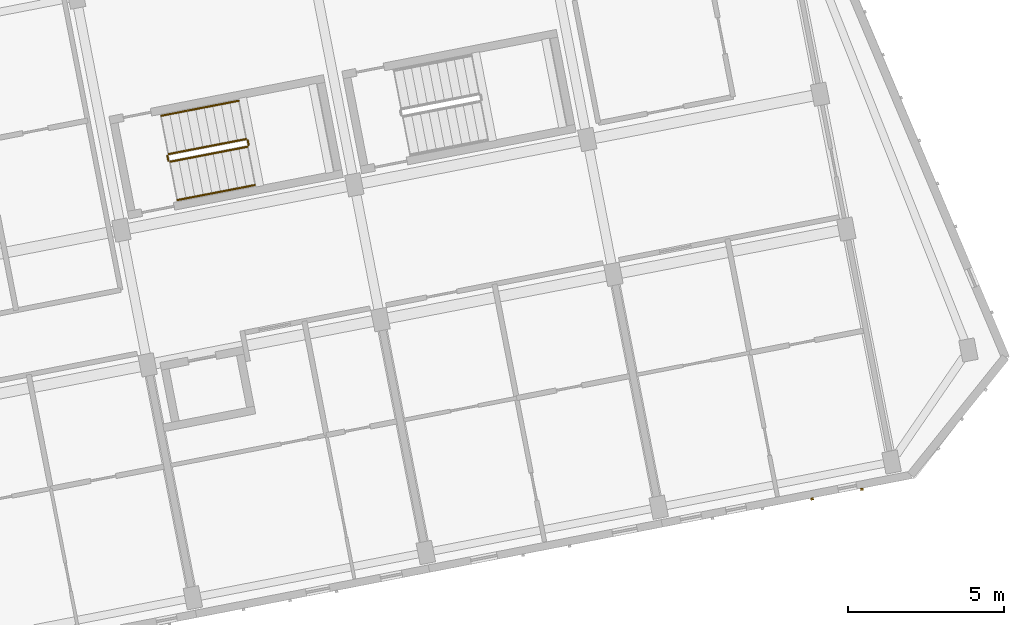
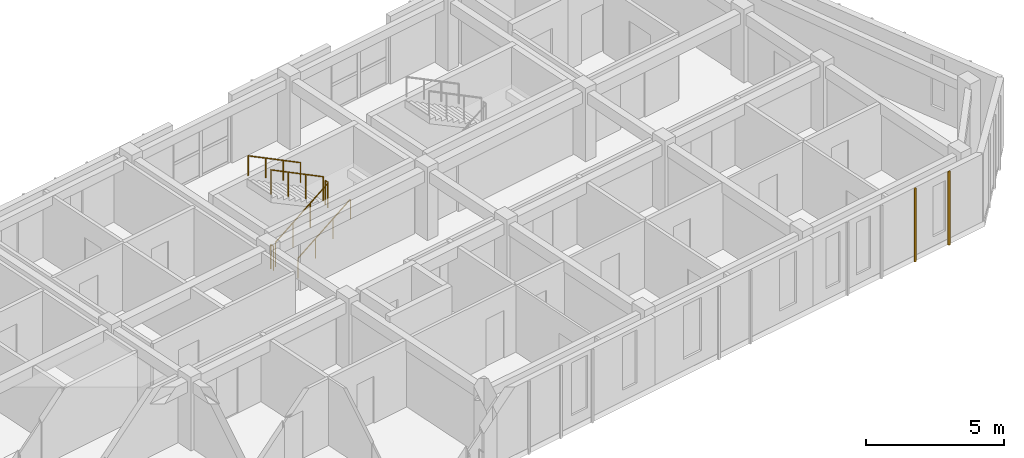
# One storey, part 60 of 66: 6 railings, 2 coverings.
"""IFC4 building model written with IfcOpenShell, lengths in metres."""

from ifc_helpers import new_model, si_unit, direction, frame, origin, origin_2d, place, context, subcontext, project, spatial, rectangle, circle, extrude, material, layer, layer_set, type_object, element, save


model = new_model("IFC4")

# Units and contexts
model_context = context("Model", 3, precision=1e-05, world=origin(), true_north=direction((0.0, 1.0)))
body_context = subcontext(model_context, "Body", "Model", "MODEL_VIEW")
ifc_project = project(units=[si_unit("LENGTHUNIT", "METRE"), si_unit("AREAUNIT", "SQUARE_METRE"), si_unit("VOLUMEUNIT", "CUBIC_METRE"), si_unit("PLANEANGLEUNIT", "RADIAN"), si_unit("MASSUNIT", "GRAM", prefix="KILO")], contexts=[model_context])

# Site, building, storey
site_placement = place(None, origin())
site = spatial("IfcSite", under=ifc_project, at=site_placement, CompositionType="ELEMENT")
building_placement = place(site_placement, origin())
building = spatial("IfcBuilding", under=site, at=building_placement, Name="Kestramere Prow Commons", CompositionType="ELEMENT")
storey_placement = place(building_placement, frame((0.0, 0.0, 14.89990234375)))
storey = spatial("IfcBuildingStorey", under=building, at=storey_placement, Name="L04", CompositionType="ELEMENT", Elevation=14.89990234375)

# Coverings
ifc_material_1 = material(Name="Weathered Zinc-Titanium Standing-Seam Cladding")
ifc_layer = layer(ifc_material_1, 0.074951171875)
ifc_layer_set = layer_set([ifc_layer], Name="Weathered Zinc-Titanium Standing-Seam Cladding")
covering_type = type_object("IfcCoveringType", Name="COV-CLAD-SEAM", PredefinedType="CLADDING", material=ifc_layer_set)
for number, where, z_axis, x_axis, name in (
    (1, (162.211669921875, 41.825927734375, -0.25), (0.0, 0.0, 1.0), (-0.981627183448, -0.190808995377, 0.0), "EW-D-L04-S-5 Standing-Seam Rib 1"),
    (2, (160.616455078125, 41.515869140625, -0.25), (0.0, 0.0, 1.0), (-0.981627183448, -0.190808995377, 0.0), "EW-D-L04-S-5 Standing-Seam Rib 2"),
):
    element("IfcCovering", number, at=place(storey_placement, frame(where, z_axis=z_axis, x_axis=x_axis)), inside=storey, type_object=covering_type, Name=name, PredefinedType="CLADDING", context=body_context, shape_type="SweptSolid", body=[
        extrude(rectangle(XDim=0.0849609375, YDim=0.06494140625, at=origin_2d()), origin(), (0.0, 0.0, 1.0), 3.25),
    ])

# Railings
ifc_material_2 = material(Name="Galvanised Steel S275JR", Category="steel")
railing_type_1 = type_object("IfcRailingType", Name="RL-ST-GR-1100", PredefinedType="GUARDRAIL", material=ifc_material_2)
railing_1_placement = place(storey_placement, frame((140.052490234375, 52.318115234375, 0.16259765625)))
element("IfcRailing", 3, at=railing_1_placement, inside=storey, type_object=railing_type_1, Name="L04 ST-D1 stair guard 1", PredefinedType="GUARDRAIL", context=body_context, shape_type="SweptSolid", body=[
    extrude(circle(Radius=0.02392578125, at=origin_2d()), frame((0.0, 0.0, 1.076171875), z_axis=(0.849043739131, 0.164982445707, 0.501901904411), x_axis=(-0.190747789018, 0.981639078778, 0.0)), (0.0, 0.0, 1.0), 2.913818359375),
    extrude(circle(Radius=0.02099609375, at=origin_2d()), origin(), (0.0, 0.0, 1.0), 1.052001953125),
    extrude(circle(Radius=0.02099609375, at=origin_2d()), frame((0.82470703125, 0.16015625, 0.487548828125)), (0.0, 0.0, 1.0), 1.052001953125),
    extrude(circle(Radius=0.02099609375, at=origin_2d()), frame((1.649169921875, 0.320556640625, 0.974853515625)), (0.0, 0.0, 1.0), 1.052001953125),
    extrude(circle(Radius=0.02099609375, at=origin_2d()), frame((2.473876953125, 0.480712890625, 1.46240234375)), (0.0, 0.0, 1.0), 1.052001953125),
])
railing_2_placement = place(storey_placement, frame((142.56591796875, 52.857421875, 1.625)))
element("IfcRailing", 4, at=railing_2_placement, inside=storey, type_object=railing_type_1, Name="L04 ST-D1 stair guard 2", PredefinedType="GUARDRAIL", context=body_context, shape_type="SweptSolid", body=[
    extrude(circle(Radius=0.02392578125, at=origin_2d()), frame((0.0, 0.0, 1.076171875), z_axis=(-0.191739424664, 0.981445868619, 0.0), x_axis=(-0.981445868619, -0.191739424664, 0.0)), (0.0, 0.0, 1.0), 0.150146484375),
    extrude(circle(Radius=0.02099609375, at=origin_2d()), origin(), (0.0, 0.0, 1.0), 1.052001953125),
    extrude(circle(Radius=0.02099609375, at=origin_2d()), frame((-0.02880859375, 0.1474609375, 0.0)), (0.0, 0.0, 1.0), 1.052001953125),
])
railing_3_placement = place(storey_placement, frame((142.478515625, 53.044189453125, 1.78759765625)))
element("IfcRailing", 5, at=railing_3_placement, inside=storey, type_object=railing_type_1, Name="L04 ST-D1 stair guard 3", PredefinedType="GUARDRAIL", context=body_context, shape_type="SweptSolid", body=[
    extrude(circle(Radius=0.02392578125, at=origin_2d()), frame((0.0, 0.0, 1.076171875), z_axis=(-0.849020348783, -0.164994183454, 0.501937612437), x_axis=(0.190765930203, -0.981635553489, 0.0)), (0.0, 0.0, 1.0), 2.91357421875),
    extrude(circle(Radius=0.02099609375, at=origin_2d()), origin(), (0.0, 0.0, 1.0), 1.052001953125),
    extrude(circle(Radius=0.02099609375, at=origin_2d()), frame((-0.824462890625, -0.16015625, 0.487548828125)), (0.0, 0.0, 1.0), 1.052001953125),
    extrude(circle(Radius=0.02099609375, at=origin_2d()), frame((-1.649169921875, -0.320556640625, 0.974853515625)), (0.0, 0.0, 1.0), 1.052001953125),
    extrude(circle(Radius=0.02099609375, at=origin_2d()), frame((-2.4736328125, -0.480712890625, 1.46240234375)), (0.0, 0.0, 1.0), 1.052001953125),
])
railing_4_placement = place(storey_placement, frame((139.993896484375, 52.357666015625, 0.0)))
element("IfcRailing", 6, at=railing_4_placement, inside=storey, type_object=railing_type_1, Name="L04 ST-D1 stair guard 4", PredefinedType="GUARDRAIL", context=body_context, shape_type="SweptSolid", body=[
    extrude(circle(Radius=0.02392578125, at=origin_2d()), frame((0.0, 0.0, 1.076171875), z_axis=(-0.190477468355, 0.981691567677, 0.0), x_axis=(-0.981691567677, -0.190477468355, 0.0)), (0.0, 0.0, 1.0), 0.14990234375),
    extrude(circle(Radius=0.02099609375, at=origin_2d()), origin(), (0.0, 0.0, 1.0), 1.052001953125),
    extrude(circle(Radius=0.02099609375, at=origin_2d()), frame((-0.028564453125, 0.147216796875, 0.0)), (0.0, 0.0, 1.0), 1.052001953125),
])
ifc_material_3 = material(Name="Stainless Steel 304", Category="steel")
railing_type_2 = type_object("IfcRailingType", Name="RL-ST-HR-900", PredefinedType="HANDRAIL", material=ifc_material_3)
railing_5_placement = place(storey_placement, frame((140.291015625, 51.091064453125, 0.3251953125)))
element("IfcRailing", 7, at=railing_5_placement, inside=storey, type_object=railing_type_2, Name="L04 ST-D1 stair handrail 1", PredefinedType="HANDRAIL", context=body_context, shape_type="SweptSolid", body=[
    extrude(circle(Radius=0.02392578125, at=origin_2d()), frame((0.0, 0.0, 0.8759765625), z_axis=(0.849043739131, 0.164982445707, 0.501901904411), x_axis=(-0.190747789018, 0.981639078778, 0.0)), (0.0, 0.0, 1.0), 2.913818359375),
    extrude(circle(Radius=0.02099609375, at=origin_2d()), origin(), (0.0, 0.0, 1.0), 0.851806640625),
    extrude(circle(Radius=0.02099609375, at=origin_2d()), frame((0.82470703125, 0.16015625, 0.487548828125)), (0.0, 0.0, 1.0), 0.851806640625),
    extrude(circle(Radius=0.02099609375, at=origin_2d()), frame((1.649169921875, 0.320556640625, 0.974853515625)), (0.0, 0.0, 1.0), 0.851806640625),
    extrude(circle(Radius=0.02099609375, at=origin_2d()), frame((2.473876953125, 0.480712890625, 1.46240234375)), (0.0, 0.0, 1.0), 0.851806640625),
])
railing_6_placement = place(storey_placement, frame((142.239990234375, 54.271240234375, 1.9501953125)))
element("IfcRailing", 8, at=railing_6_placement, inside=storey, type_object=railing_type_2, Name="L04 ST-D1 stair handrail 2", PredefinedType="HANDRAIL", context=body_context, shape_type="SweptSolid", body=[
    extrude(circle(Radius=0.02392578125, at=origin_2d()), frame((0.0, 0.0, 0.8759765625), z_axis=(-0.849020348783, -0.164994183454, 0.501937612437), x_axis=(0.190765930203, -0.981635553489, 0.0)), (0.0, 0.0, 1.0), 2.91357421875),
    extrude(circle(Radius=0.02099609375, at=origin_2d()), origin(), (0.0, 0.0, 1.0), 0.851806640625),
    extrude(circle(Radius=0.02099609375, at=origin_2d()), frame((-0.824462890625, -0.16015625, 0.487548828125)), (0.0, 0.0, 1.0), 0.851806640625),
    extrude(circle(Radius=0.02099609375, at=origin_2d()), frame((-1.649169921875, -0.320556640625, 0.974853515625)), (0.0, 0.0, 1.0), 0.851806640625),
    extrude(circle(Radius=0.02099609375, at=origin_2d()), frame((-2.4736328125, -0.480712890625, 1.46240234375)), (0.0, 0.0, 1.0), 0.851806640625),
])

save(model, "model.ifc")
